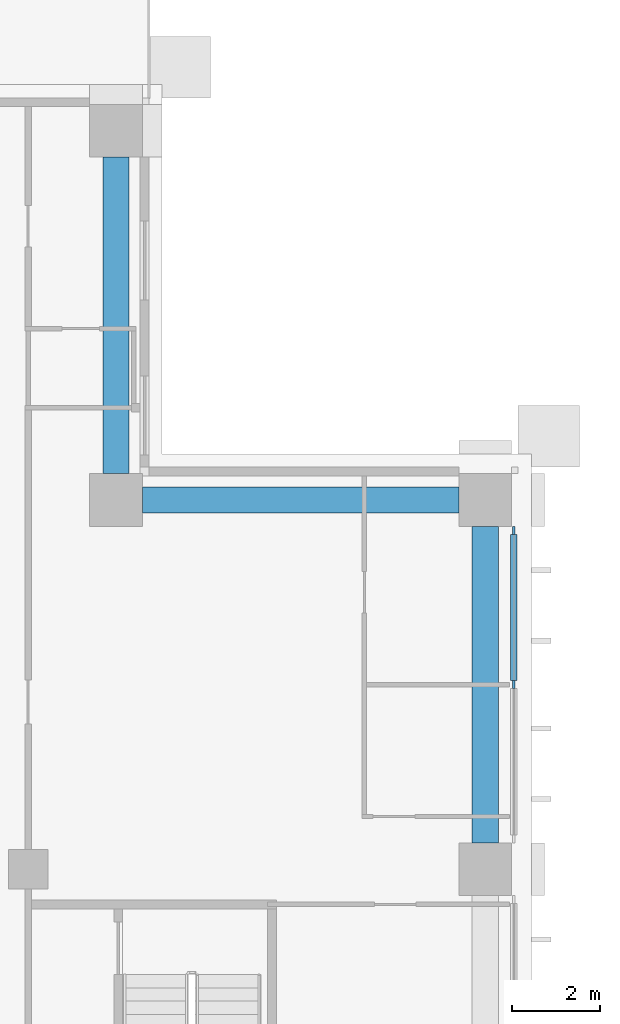
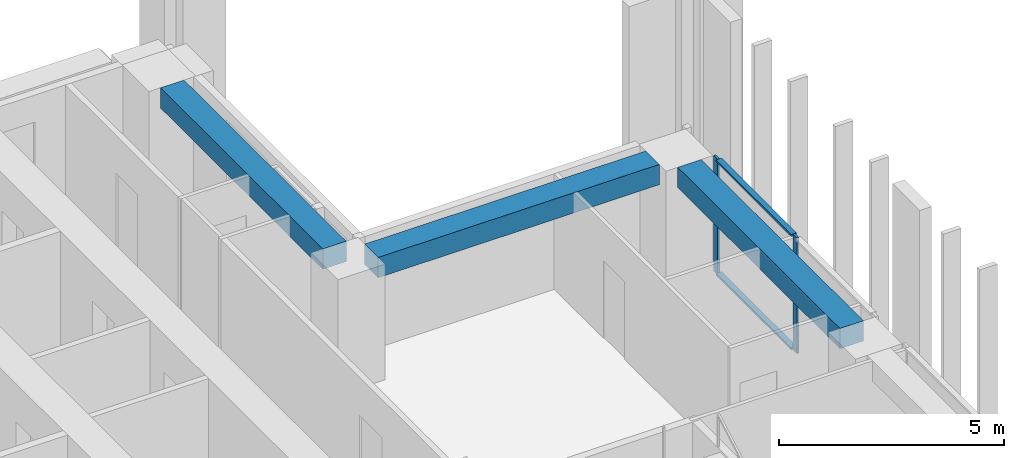
# One storey, part 6 of 19: 4 members, 3 beams, 1 element without a shape of its own.
"""IFC4 building model written with IfcOpenShell, lengths in metres."""

import ifcopenshell
import ifcopenshell.guid

model = None  # the IFC model being written
_history = None  # IfcOwnerHistory: only IFC2X3 demands one
_inside = {}  # id of a spatial element -> (the spatial element, [elements in it])
_under = {}  # id of a project, library or spatial element -> (it, [spatial elements below it])
_declared = {}  # id of a project -> (the project, [libraries it declares])
_typed = {}  # id of a type object -> (the type object, [elements of that type])
_made_of = {}  # id of a material, layer set ... -> (it, [elements and type objects made of it])


def new_model(schema):
    """Start an empty IFC model of exactly this schema.

    Asked for "IFC4X3", IfcOpenShell would pick the latest addendum, in which some entities
    have other attributes; the version numbers below select the first issue.
    IFC2X3 requires an IfcOwnerHistory on every rooted entity: one is made here for all.
    """
    global model, _history
    if schema == "IFC4X3":
        model = ifcopenshell.file(schema_version=(4, 3, 0, 0))
    else:
        model = ifcopenshell.file(schema=schema)
    _inside.clear()
    _under.clear()
    _declared.clear()
    _typed.clear()
    _made_of.clear()
    _history = None
    if model.schema == "IFC2X3":
        org = make("IfcOrganization", Name="unknown")
        user = make(
            "IfcPersonAndOrganization",
            ThePerson=make("IfcPerson", FamilyName="unknown"),
            TheOrganization=org,
        )
        app = make(
            "IfcApplication",
            ApplicationDeveloper=org,
            Version="unknown",
            ApplicationFullName="unknown",
            ApplicationIdentifier="unknown",
        )
        _history = make(
            "IfcOwnerHistory",
            OwningUser=user,
            OwningApplication=app,
            ChangeAction="ADDED",
            CreationDate=0,
        )
    return model


def make(cls, **values):
    """One entity of the class cls with the attributes given. An attribute that is None is left unset."""
    return model.create_entity(
        cls, **{name: value for name, value in values.items() if value is not None}
    )


def rooted(cls, **values):
    """An entity with a GlobalId (a new one), such as an element, a storey or a relation."""
    return make(cls, GlobalId=ifcopenshell.guid.new(), OwnerHistory=_history, **values)


def si_unit(unit_type, name, prefix=None):
    """IfcSIUnit, for example si_unit("LENGTHUNIT", "METRE", prefix="MILLI")."""
    return make("IfcSIUnit", UnitType=unit_type, Prefix=prefix, Name=name)


def assignment(units):
    """IfcUnitAssignment: the units of a project."""
    return None if units is None else make("IfcUnitAssignment", Units=units)


def point(xyz):
    """IfcCartesianPoint."""
    return None if xyz is None else make("IfcCartesianPoint", Coordinates=xyz)


def direction(xyz):
    """IfcDirection."""
    return None if xyz is None else make("IfcDirection", DirectionRatios=xyz)


def frame(location, z_axis=None, x_axis=None):
    """IfcAxis2Placement3D, a coordinate frame: its origin and axes. An axis left out is left unset."""
    return make(
        "IfcAxis2Placement3D",
        Location=point(location),
        Axis=direction(z_axis),
        RefDirection=direction(x_axis),
    )


def frame_2d(location, x_axis=None):
    """IfcAxis2Placement2D, a coordinate frame in the plane: its origin and x axis."""
    return make(
        "IfcAxis2Placement2D", Location=point(location), RefDirection=direction(x_axis)
    )


def origin():
    """The frame at (0, 0, 0) with its axes left unset."""
    return frame((0.0, 0.0, 0.0))


def origin_2d():
    """The frame at (0, 0) in the plane with its x axis left unset."""
    return frame_2d((0.0, 0.0))


def place(relative_to, where):
    """IfcLocalPlacement: puts the frame where relative to a parent placement (None: the world)."""
    return make(
        "IfcLocalPlacement", PlacementRelTo=relative_to, RelativePlacement=where
    )


def context(
    kind, dimensions, precision=None, world=None, true_north=None, identifier=None
):
    """IfcGeometricRepresentationContext, for example the 3D "Model" context."""
    return make(
        "IfcGeometricRepresentationContext",
        ContextIdentifier=identifier,
        ContextType=kind,
        CoordinateSpaceDimension=dimensions,
        Precision=precision,
        WorldCoordinateSystem=world,
        TrueNorth=true_north,
    )


def subcontext(parent, identifier, kind, view, scale=None):
    """IfcGeometricRepresentationSubContext, for example "Body" below "Model"."""
    return make(
        "IfcGeometricRepresentationSubContext",
        ContextIdentifier=identifier,
        ContextType=kind,
        ParentContext=parent,
        TargetScale=scale,
        TargetView=view,
    )


def project(units=None, contexts=None):
    """IfcProject with its units and contexts."""
    return rooted(
        "IfcProject",
        Name="project",
        RepresentationContexts=contexts,
        UnitsInContext=assignment(units),
    )


def spatial(cls, under=None, at=None, **own):
    """A site, building, storey or space (cls), placed at a placement, below another one or the project."""
    s = rooted(cls, ObjectPlacement=at, **own)
    if under is not None:
        _under.setdefault(under.id(), (under, []))[1].append(s)
    return s


def profile(cls, at=None, kind="AREA", **sizes):
    """A parametric profile (cls). Its sizes go by their IFC names, for example OverallWidth=200.0."""
    return make(cls, ProfileType=kind, Position=at, **sizes)


def rectangle(**sizes):
    """IfcRectangleProfileDef."""
    return profile("IfcRectangleProfileDef", **sizes)


def extrude(swept, where, along, depth):
    """IfcExtrudedAreaSolid: the profile swept, set in the frame where, extruded along a direction by depth."""
    return make(
        "IfcExtrudedAreaSolid",
        SweptArea=swept,
        Position=where,
        ExtrudedDirection=direction(along),
        Depth=depth,
    )


def shape(context_of_items, identifier, shape_type, items):
    """IfcShapeRepresentation: the items that make up one representation, for example the "Body"."""
    return make(
        "IfcShapeRepresentation",
        ContextOfItems=context_of_items,
        RepresentationIdentifier=identifier,
        RepresentationType=shape_type,
        Items=items,
    )


def material(Name=None, Category=None):
    """IfcMaterial."""
    return make("IfcMaterial", Name=Name, Category=Category)


def material_profile(
    of_material, cross_section, Name=None, Category=None, Priority=None
):
    """IfcMaterialProfile: a cross section and its material."""
    return make(
        "IfcMaterialProfile",
        Name=Name,
        Material=of_material,
        Profile=cross_section,
        Priority=Priority,
        Category=Category,
    )


def profile_set(profiles, Name=None, composite=None):
    """IfcMaterialProfileSet."""
    return make(
        "IfcMaterialProfileSet",
        Name=Name,
        MaterialProfiles=profiles,
        CompositeProfile=composite,
    )


def made_of(thing, what):
    """Note that an element or type object is made of a material, layer set ...; save() writes the relation."""
    if what is not None:
        _made_of.setdefault(what.id(), (what, []))[1].append(thing)
    return thing


def type_object(cls, material=None, **own):
    """A type object (cls), such as IfcWallType, which elements share."""
    return made_of(rooted(cls, **own), material)


def element(
    cls,
    number,
    at=None,
    inside=None,
    cuts=None,
    type_object=None,
    material=None,
    context=None,
    identifier="Body",
    shape_type=None,
    held_by="IfcProductDefinitionShape",
    body=None,
    shapes=None,
    **own,
):
    """One element of the class cls, such as IfcWall. Its Tag is "e" and its number.

    at: its placement. inside: the storey or other place that contains it. cuts: it is an
    opening in that element (IfcRelVoidsElement). A single representation is given by context,
    identifier, shape_type and body (its items); several are given by shapes. held_by: the class
    of the entity that holds the representations. save() writes the other relations.
    """
    e = rooted(cls, Tag="e%d" % number, ObjectPlacement=at, **own)
    if body is not None:
        shapes = [shape(context, identifier, shape_type, body)]
    if shapes is not None:
        e.Representation = make(held_by, Representations=shapes)
    if inside is not None:
        _inside.setdefault(inside.id(), (inside, []))[1].append(e)
    if cuts is not None:
        rooted(
            "IfcRelVoidsElement", RelatingBuildingElement=cuts, RelatedOpeningElement=e
        )
    if type_object is not None:
        _typed.setdefault(type_object.id(), (type_object, []))[1].append(e)
    return made_of(e, material)


def aggregate(whole, parts):
    """IfcRelAggregates: a whole, such as a stair, and the parts it consists of."""
    return rooted("IfcRelAggregates", RelatingObject=whole, RelatedObjects=parts)


def save(model, path):
    """Write the relations noted so far, then the file.

    IfcRelAggregates (storeys below a building ...), IfcRelContainedInSpatialStructure (elements
    in a storey), IfcRelDefinesByType, IfcRelAssociatesMaterial and IfcRelDeclares: one each for
    every whole, place, type object, material and project.
    """
    for whole, parts in _under.values():
        aggregate(whole, parts)
    for where, things in _inside.values():
        rooted(
            "IfcRelContainedInSpatialStructure",
            RelatedElements=things,
            RelatingStructure=where,
        )
    for kind, things in _typed.values():
        rooted("IfcRelDefinesByType", RelatedObjects=things, RelatingType=kind)
    for what, things in _made_of.values():
        rooted("IfcRelAssociatesMaterial", RelatedObjects=things, RelatingMaterial=what)
    for by, libraries in _declared.values():
        rooted("IfcRelDeclares", RelatingContext=by, RelatedDefinitions=libraries)
    model.write(path)


model = new_model("IFC4")

# Units and contexts
model_context = context("Model", 3, precision=1e-05, world=origin(), true_north=direction((0.0, 1.0)))
body_context = subcontext(model_context, "Body", "Model", "MODEL_VIEW")
ifc_project = project(units=[si_unit("LENGTHUNIT", "METRE"), si_unit("AREAUNIT", "SQUARE_METRE"), si_unit("VOLUMEUNIT", "CUBIC_METRE"), si_unit("PLANEANGLEUNIT", "RADIAN"), si_unit("MASSUNIT", "GRAM", prefix="KILO")], contexts=[model_context])

# Site, building, storey
site_placement = place(None, origin())
site = spatial("IfcSite", under=ifc_project, at=site_placement, CompositionType="ELEMENT")
building_placement = place(site_placement, origin())
building = spatial("IfcBuilding", under=site, at=building_placement, Name="Vermilion Ogive Tower", CompositionType="ELEMENT")
storey_placement = place(building_placement, frame((0.0, 0.0, 90.75)))
storey = spatial("IfcBuildingStorey", under=building, at=storey_placement, Name="L22", CompositionType="ELEMENT", Elevation=90.75)

# Curtain wall, members
ifc_material_1 = material(Name="Low-iron laminated glazing in aluminium frame", Category="aluminium")
curtain_wall_type = type_object("IfcCurtainWallType", Name="Curtain wall CW7", PredefinedType="NOTDEFINED", material=ifc_material_1)
curtain_wall_placement = place(storey_placement, origin())
curtain_wall = element("IfcCurtainWall", 1, at=curtain_wall_placement, inside=storey, type_object=curtain_wall_type, Name="Glazed skin E3", PredefinedType="NOTDEFINED")
ifc_material_2 = material(Name="Aluminium mullion", Category="aluminium")
ifc_material_profile_1 = material_profile(ifc_material_2, rectangle(XDim=0.06005859375, YDim=0.179931640625, at=origin_2d()), Name="AL 60x180")
ifc_profile_set_1 = profile_set([ifc_material_profile_1], Name="Aluminium mullion")
member_type_1 = type_object("IfcMemberType", Name="CW7 mullion 60x180", PredefinedType="MULLION", material=ifc_profile_set_1)
member_1_placement = place(storey_placement, frame((25.85009765625, 8.39990234375, 0.0), z_axis=(0.0, 0.0, 1.0), x_axis=(-1.0, 0.0, 0.0)))
member_1 = element("IfcMember", 2, at=member_1_placement, type_object=member_type_1, Name="CW7-E3 mullion 2", PredefinedType="MULLION", context=body_context, shape_type="SweptSolid", body=[
    extrude(rectangle(XDim=0.06005859375, YDim=0.179931640625, at=origin_2d()), origin(), (0.0, 0.0, 1.0), 3.1298828125),
])
member_2_placement = place(storey_placement, frame((25.85009765625, 11.909912109375, 0.0), z_axis=(0.0, 0.0, 1.0), x_axis=(-1.0, 0.0, 0.0)))
member_2 = element("IfcMember", 3, at=member_2_placement, type_object=member_type_1, Name="CW7-E3 mullion 3", PredefinedType="MULLION", context=body_context, shape_type="SweptSolid", body=[
    extrude(rectangle(XDim=0.06005859375, YDim=0.179931640625, at=origin_2d()), origin(), (0.0, 0.0, 1.0), 3.1298828125),
])
ifc_material_3 = material(Name="Aluminium transom", Category="aluminium")
ifc_material_profile_2 = material_profile(ifc_material_3, rectangle(XDim=0.139892578125, YDim=0.06005859375, at=origin_2d()), Name="AL 60x140")
ifc_profile_set_2 = profile_set([ifc_material_profile_2], Name="Aluminium transom")
member_type_2 = type_object("IfcMemberType", Name="CW7 transom 60x140", PredefinedType="USERDEFINED", material=ifc_profile_set_2)
member_3_placement = place(storey_placement, frame((25.85009765625, 8.489990234375, 0.030029296875), z_axis=(0.0, 1.0, 0.0), x_axis=(-1.0, 0.0, 0.0)))
member_3 = element("IfcMember", 4, at=member_3_placement, type_object=member_type_2, Name="CW7-E3 transom 2.1", ObjectType="TRANSOM", PredefinedType="USERDEFINED", context=body_context, shape_type="SweptSolid", body=[
    extrude(rectangle(XDim=0.139892578125, YDim=0.06005859375, at=origin_2d()), origin(), (0.0, 0.0, 1.0), 3.330078125),
])
member_4_placement = place(storey_placement, frame((25.85009765625, 8.489990234375, 3.10009765625), z_axis=(0.0, 1.0, 0.0), x_axis=(-1.0, 0.0, 0.0)))
member_4 = element("IfcMember", 5, at=member_4_placement, type_object=member_type_2, Name="CW7-E3 transom 2.2", ObjectType="TRANSOM", PredefinedType="USERDEFINED", context=body_context, shape_type="SweptSolid", body=[
    extrude(rectangle(XDim=0.139892578125, YDim=0.06005859375, at=origin_2d()), origin(), (0.0, 0.0, 1.0), 3.330078125),
])
aggregate(curtain_wall, [member_1, member_2, member_3, member_4])

# Beams
ifc_material_4 = material(Name="Concrete B45", Category="concrete")
ifc_material_profile_3 = material_profile(ifc_material_4, rectangle(XDim=0.60009765625, YDim=0.550048828125, at=origin_2d()), Name="600 x 550")
ifc_profile_set_3 = profile_set([ifc_material_profile_3], Name="Concrete B45")
beam_type = type_object("IfcBeamType", Name="Edge beam 600 x 550 B45", PredefinedType="BEAM", material=ifc_profile_set_3)
beam_1_placement = place(storey_placement, frame((25.199951171875, 4.800048828125, 2.85498046875), z_axis=(0.0, 1.0, 0.0), x_axis=(-1.0, 0.0, 0.0)))
element("IfcBeam", 6, at=beam_1_placement, inside=storey, type_object=beam_type, Name="L22-EB-9", PredefinedType="BEAM", context=body_context, shape_type="SweptSolid", body=[
    extrude(rectangle(XDim=0.60009765625, YDim=0.550048828125, at=origin_2d()), origin(), (0.0, 0.0, 1.0), 7.199951171875),
])
beam_2_placement = place(storey_placement, frame((24.60009765625, 12.60009765625, 2.85498046875), z_axis=(-1.0, 0.0, 0.0), x_axis=(0.0, -1.0, 0.0)))
element("IfcBeam", 7, at=beam_2_placement, inside=storey, type_object=beam_type, Name="L22-EB-10", PredefinedType="BEAM", context=body_context, shape_type="SweptSolid", body=[
    extrude(rectangle(XDim=0.60009765625, YDim=0.550048828125, at=origin_2d()), origin(), (0.0, 0.0, 1.0), 7.2001953125),
])
beam_3_placement = place(storey_placement, frame((16.800048828125, 13.199951171875, 2.85498046875), z_axis=(0.0, 1.0, 0.0), x_axis=(-1.0, 0.0, 0.0)))
element("IfcBeam", 8, at=beam_3_placement, inside=storey, type_object=beam_type, Name="L22-EB-11", PredefinedType="BEAM", context=body_context, shape_type="SweptSolid", body=[
    extrude(rectangle(XDim=0.60009765625, YDim=0.550048828125, at=origin_2d()), origin(), (0.0, 0.0, 1.0), 7.199951171875),
])

save(model, "model.ifc")
